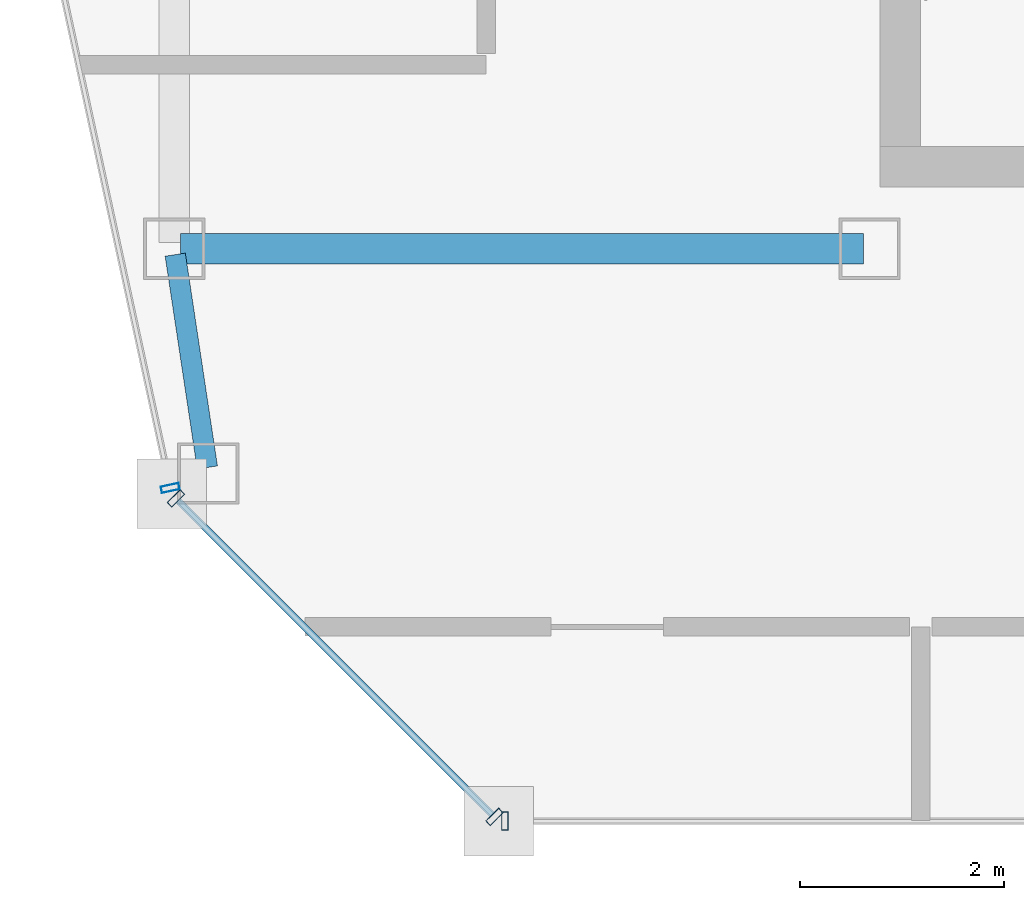
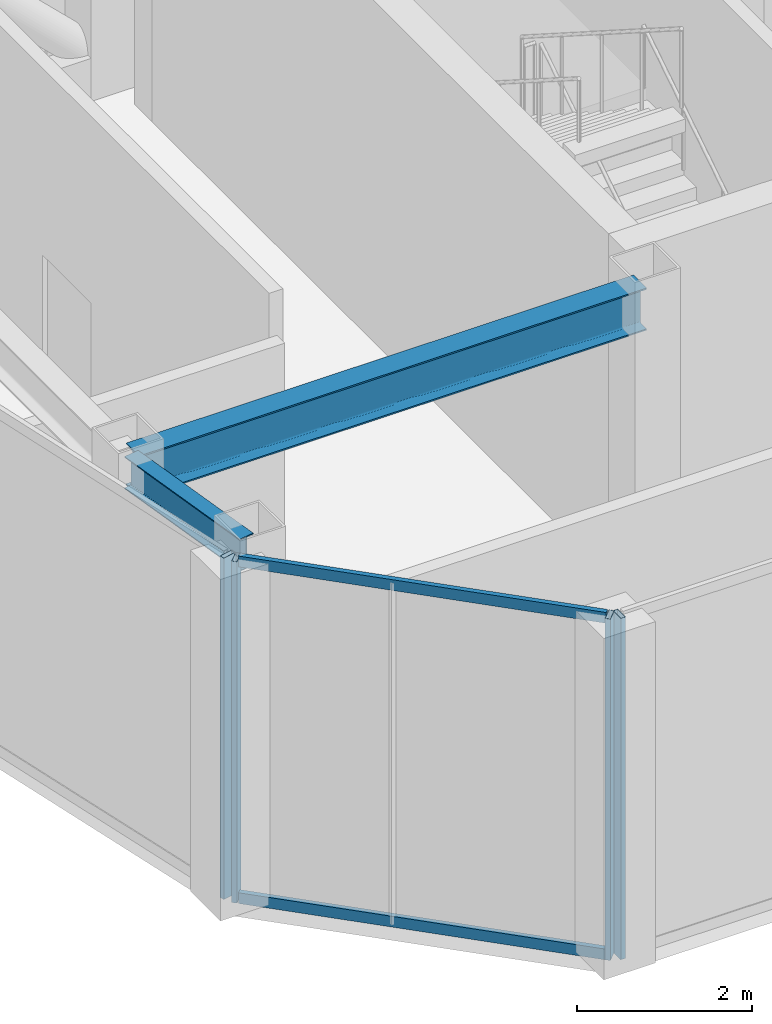
# One storey, part 2 of 20: 6 members, 2 beams, 3 elements without a shape of their own.
"""IFC4 building model written with IfcOpenShell, lengths in metres."""

from ifc_helpers import new_model, si_unit, direction, frame, origin, origin_2d, place, context, subcontext, project, spatial, hollow_rectangle, i_section, extrude, material, material_profile, profile_set, type_object, element, aggregate, save


model = new_model("IFC4")

# Units and contexts
model_context = context("Model", 3, precision=1e-05, world=origin(), true_north=direction((0.0, 1.0)))
body_context = subcontext(model_context, "Body", "Model", "MODEL_VIEW")
ifc_project = project(units=[si_unit("LENGTHUNIT", "METRE"), si_unit("AREAUNIT", "SQUARE_METRE"), si_unit("VOLUMEUNIT", "CUBIC_METRE"), si_unit("PLANEANGLEUNIT", "RADIAN"), si_unit("MASSUNIT", "GRAM", prefix="KILO")], contexts=[model_context])

# Site, building, storey
site_placement = place(None, origin())
site = spatial("IfcSite", under=ifc_project, at=site_placement, CompositionType="ELEMENT")
building_placement = place(site_placement, origin())
building = spatial("IfcBuilding", under=site, at=building_placement, Name="Saevonmaru Cultural Tower", CompositionType="ELEMENT")
storey_placement = place(building_placement, frame((0.0, 0.0, 314.199951171875)))
storey = spatial("IfcBuildingStorey", under=building, at=storey_placement, Name="L75", CompositionType="ELEMENT", Elevation=314.199951171875)

# Beams
ifc_material_1 = material(Name="Steel SM355", Category="steel")
ifc_material_profile_1 = material_profile(ifc_material_1, i_section(OverallWidth=0.300048828125, OverallDepth=0.587890625, WebThickness=0.011962890625, FlangeThickness=0.02001953125, FilletRadius=0.02392578125, at=origin_2d()), Name="H-588x300x12x20")
ifc_profile_set_1 = profile_set([ifc_material_profile_1], Name="Steel SM355")
beam_type_1 = type_object("IfcBeamType", Name="BM-G-H588", PredefinedType="BEAM", material=ifc_profile_set_1)
beam_1_placement = place(storey_placement, frame((6.860107421875, 42.39990234375, 4.4560546875), z_axis=(1.0, 0.0, 0.0), x_axis=(0.0, 1.0, 0.0)))
element("IfcBeam", 1, at=beam_1_placement, inside=storey, type_object=beam_type_1, Name="L75 Core South Girder 1", PredefinedType="BEAM", context=body_context, shape_type="SweptSolid", body=[
    extrude(i_section(OverallWidth=0.300048828125, OverallDepth=0.587890625, WebThickness=0.011962890625, FlangeThickness=0.02001953125, FilletRadius=0.02392578125, at=origin_2d()), origin(), (0.0, 0.0, 1.0), 6.679931640625),
])
ifc_material_profile_2 = material_profile(ifc_material_1, i_section(OverallWidth=0.199951171875, OverallDepth=0.449951171875, WebThickness=0.009033203125, FlangeThickness=0.013916015625, FilletRadius=0.01806640625, at=origin_2d()), Name="H-450x200x9x14")
ifc_profile_set_2 = profile_set([ifc_material_profile_2], Name="Steel SM355")
beam_type_2 = type_object("IfcBeamType", Name="BM-SP-H450", PredefinedType="SPANDREL", material=ifc_profile_set_2)
beam_2_placement = place(storey_placement, frame((7.123046875, 40.25927734375, 4.525146484375), z_axis=(-0.149145717006, 0.988815227987, 0.0), x_axis=(-0.988815227987, -0.149145717006, 0.0)))
element("IfcBeam", 2, at=beam_2_placement, inside=storey, type_object=beam_type_2, Name="L75 West Splayed Spandrel 1", PredefinedType="SPANDREL", context=body_context, shape_type="SweptSolid", body=[
    extrude(i_section(OverallWidth=0.199951171875, OverallDepth=0.449951171875, WebThickness=0.009033203125, FlangeThickness=0.013916015625, FilletRadius=0.01806640625, at=origin_2d()), origin(), (0.0, 0.0, 1.0), 2.10498046875),
])

# Curtain wall, members
ifc_material_2 = material(Name="Satin Bronze Anodised Aluminium", Category="aluminium")
curtain_wall_type = type_object("IfcCurtainWallType", Name="CW-TYP-B", PredefinedType="NOTDEFINED", material=ifc_material_2)
curtain_wall_1_placement = place(storey_placement, origin())
curtain_wall_1 = element("IfcCurtainWall", 3, at=curtain_wall_1_placement, inside=storey, type_object=curtain_wall_type, Name="L75 Wind-Floor Acoustic Louvre Screen E1", PredefinedType="NOTDEFINED")
ifc_material_profile_3 = material_profile(ifc_material_2, hollow_rectangle(XDim=0.06494140625, YDim=0.179931640625, WallThickness=0.00390625, at=origin_2d()), Name="ALU-MULL-180x65x4")
ifc_profile_set_3 = profile_set([ifc_material_profile_3], Name="Satin Bronze Anodised Aluminium")
member_type_1 = type_object("IfcMemberType", Name="ML-CW-180x65", PredefinedType="MULLION", material=ifc_profile_set_3)
member_1_placement = place(storey_placement, frame((6.815673828125, 39.95751953125, 0.0), z_axis=(0.0, 0.0, 1.0), x_axis=(0.707106781187, -0.707106781187, 0.0)))
member_1 = element("IfcMember", 4, at=member_1_placement, type_object=member_type_1, Name="CW-TW-L75-E1 mullion 1", PredefinedType="MULLION", context=body_context, shape_type="SweptSolid", body=[
    extrude(hollow_rectangle(XDim=0.06494140625, YDim=0.179931640625, WallThickness=0.00390625, at=origin_2d()), origin(), (0.0, 0.0, 1.0), 4.75),
])
member_2_placement = place(storey_placement, frame((9.930908203125, 36.84228515625, 0.0), z_axis=(0.0, 0.0, 1.0), x_axis=(0.707106781187, -0.707106781187, 0.0)))
member_2 = element("IfcMember", 5, at=member_2_placement, type_object=member_type_1, Name="CW-TW-L75-E1 mullion 2", PredefinedType="MULLION", context=body_context, shape_type="SweptSolid", body=[
    extrude(hollow_rectangle(XDim=0.06494140625, YDim=0.179931640625, WallThickness=0.00390625, at=origin_2d()), origin(), (0.0, 0.0, 1.0), 4.75),
])

# Curtain wall, member
curtain_wall_2_placement = place(storey_placement, origin())
curtain_wall_2 = element("IfcCurtainWall", 6, at=curtain_wall_2_placement, inside=storey, type_object=curtain_wall_type, Name="L75 Wind-Floor Acoustic Louvre Screen E2", PredefinedType="NOTDEFINED")
member_3_placement = place(storey_placement, frame((10.033203125, 36.800048828125, 0.0), z_axis=(0.0, 0.0, 1.0), x_axis=(1.0, 0.0, 0.0)))
member_3 = element("IfcMember", 7, at=member_3_placement, type_object=member_type_1, Name="CW-TW-L75-E2 mullion 1", PredefinedType="MULLION", context=body_context, shape_type="SweptSolid", body=[
    extrude(hollow_rectangle(XDim=0.06494140625, YDim=0.179931640625, WallThickness=0.00390625, at=origin_2d()), origin(), (0.0, 0.0, 1.0), 4.75),
])
aggregate(curtain_wall_2, [member_3])

curtain_wall_3_placement = place(storey_placement, origin())
curtain_wall_3 = element("IfcCurtainWall", 8, at=curtain_wall_3_placement, inside=storey, type_object=curtain_wall_type, Name="L75 Wind-Floor Acoustic Louvre Screen E12", PredefinedType="NOTDEFINED")
member_4_placement = place(storey_placement, frame((6.760498046875, 40.05859375, 0.0), z_axis=(0.0, 0.0, 1.0), x_axis=(0.211750401587, -0.977323778196, 0.0)))
member_4 = element("IfcMember", 9, at=member_4_placement, type_object=member_type_1, Name="CW-TW-L75-E12 mullion 2", PredefinedType="MULLION", context=body_context, shape_type="SweptSolid", body=[
    extrude(hollow_rectangle(XDim=0.06494140625, YDim=0.179931640625, WallThickness=0.00390625, at=origin_2d()), origin(), (0.0, 0.0, 1.0), 4.75),
])
aggregate(curtain_wall_3, [member_4])

# Member
ifc_material_profile_4 = material_profile(ifc_material_2, hollow_rectangle(XDim=0.06494140625, YDim=0.14990234375, WallThickness=0.00390625, at=origin_2d()), Name="ALU-TRAN-150x65x4")
ifc_profile_set_4 = profile_set([ifc_material_profile_4], Name="Satin Bronze Anodised Aluminium")
member_type_2 = type_object("IfcMemberType", Name="TR-CW-150x65", PredefinedType="USERDEFINED", material=ifc_profile_set_4)
member_5_placement = place(storey_placement, frame((6.838623046875, 39.9345703125, 0.032470703125), z_axis=(0.707134904033, -0.707078657222, 0.0), x_axis=(0.707078657222, 0.707134904033, 0.0)))
member_5 = element("IfcMember", 10, at=member_5_placement, type_object=member_type_2, Name="CW-TW-L75-E1 transom 1.1", ObjectType="TRANSOM", PredefinedType="USERDEFINED", context=body_context, shape_type="SweptSolid", body=[
    extrude(hollow_rectangle(XDim=0.06494140625, YDim=0.14990234375, WallThickness=0.00390625, at=origin_2d()), origin(), (0.0, 0.0, 1.0), 4.340576171875),
])

member_6_placement = place(storey_placement, frame((6.838623046875, 39.9345703125, 4.717529296875), z_axis=(0.707134904033, -0.707078657222, 0.0), x_axis=(0.707078657222, 0.707134904033, 0.0)))
member_6 = element("IfcMember", 11, at=member_6_placement, type_object=member_type_2, Name="CW-TW-L75-E1 transom 1.2", ObjectType="TRANSOM", PredefinedType="USERDEFINED", context=body_context, shape_type="SweptSolid", body=[
    extrude(hollow_rectangle(XDim=0.06494140625, YDim=0.14990234375, WallThickness=0.00390625, at=origin_2d()), origin(), (0.0, 0.0, 1.0), 4.340576171875),
])

aggregate(curtain_wall_1, [member_1, member_2, member_5, member_6])

save(model, "model.ifc")
